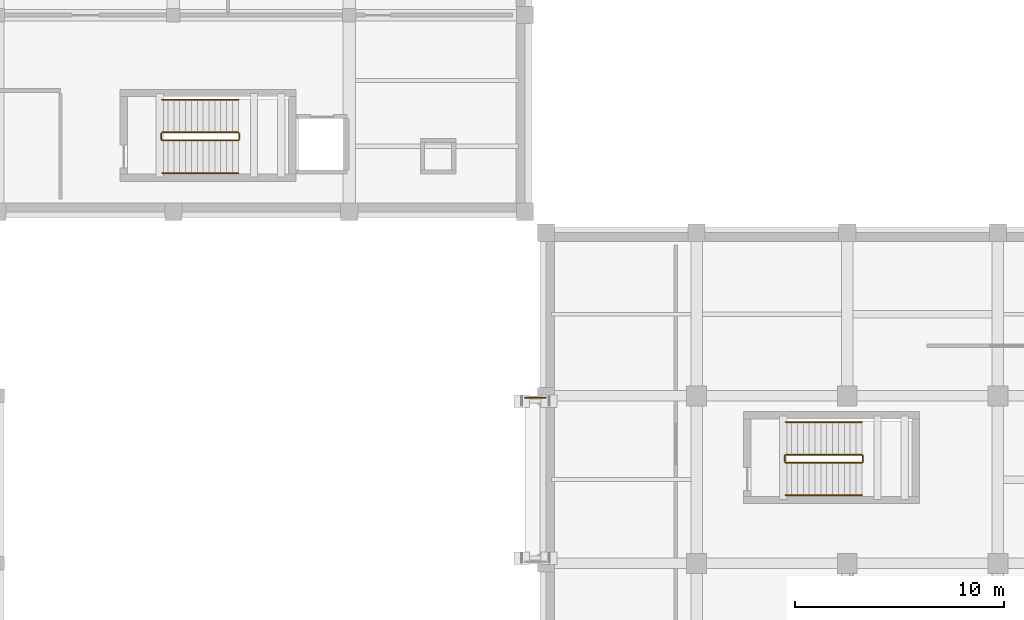
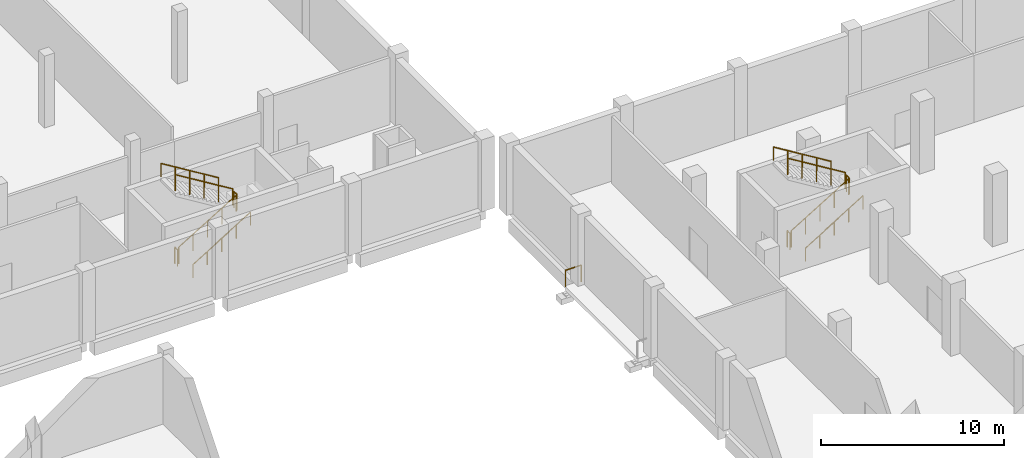
# One storey, part 28 of 31: 13 railings.
"""IFC4 building model written with IfcOpenShell, lengths in metres."""

import ifcopenshell
import ifcopenshell.guid

model = None  # the IFC model being written
_history = None  # IfcOwnerHistory: only IFC2X3 demands one
_inside = {}  # id of a spatial element -> (the spatial element, [elements in it])
_under = {}  # id of a project, library or spatial element -> (it, [spatial elements below it])
_declared = {}  # id of a project -> (the project, [libraries it declares])
_typed = {}  # id of a type object -> (the type object, [elements of that type])
_made_of = {}  # id of a material, layer set ... -> (it, [elements and type objects made of it])


def new_model(schema):
    """Start an empty IFC model of exactly this schema.

    Asked for "IFC4X3", IfcOpenShell would pick the latest addendum, in which some entities
    have other attributes; the version numbers below select the first issue.
    IFC2X3 requires an IfcOwnerHistory on every rooted entity: one is made here for all.
    """
    global model, _history
    if schema == "IFC4X3":
        model = ifcopenshell.file(schema_version=(4, 3, 0, 0))
    else:
        model = ifcopenshell.file(schema=schema)
    _inside.clear()
    _under.clear()
    _declared.clear()
    _typed.clear()
    _made_of.clear()
    _history = None
    if model.schema == "IFC2X3":
        org = make("IfcOrganization", Name="unknown")
        user = make(
            "IfcPersonAndOrganization",
            ThePerson=make("IfcPerson", FamilyName="unknown"),
            TheOrganization=org,
        )
        app = make(
            "IfcApplication",
            ApplicationDeveloper=org,
            Version="unknown",
            ApplicationFullName="unknown",
            ApplicationIdentifier="unknown",
        )
        _history = make(
            "IfcOwnerHistory",
            OwningUser=user,
            OwningApplication=app,
            ChangeAction="ADDED",
            CreationDate=0,
        )
    return model


def make(cls, **values):
    """One entity of the class cls with the attributes given. An attribute that is None is left unset."""
    return model.create_entity(
        cls, **{name: value for name, value in values.items() if value is not None}
    )


def rooted(cls, **values):
    """An entity with a GlobalId (a new one), such as an element, a storey or a relation."""
    return make(cls, GlobalId=ifcopenshell.guid.new(), OwnerHistory=_history, **values)


def si_unit(unit_type, name, prefix=None):
    """IfcSIUnit, for example si_unit("LENGTHUNIT", "METRE", prefix="MILLI")."""
    return make("IfcSIUnit", UnitType=unit_type, Prefix=prefix, Name=name)


def assignment(units):
    """IfcUnitAssignment: the units of a project."""
    return None if units is None else make("IfcUnitAssignment", Units=units)


def point(xyz):
    """IfcCartesianPoint."""
    return None if xyz is None else make("IfcCartesianPoint", Coordinates=xyz)


def direction(xyz):
    """IfcDirection."""
    return None if xyz is None else make("IfcDirection", DirectionRatios=xyz)


def frame(location, z_axis=None, x_axis=None):
    """IfcAxis2Placement3D, a coordinate frame: its origin and axes. An axis left out is left unset."""
    return make(
        "IfcAxis2Placement3D",
        Location=point(location),
        Axis=direction(z_axis),
        RefDirection=direction(x_axis),
    )


def frame_2d(location, x_axis=None):
    """IfcAxis2Placement2D, a coordinate frame in the plane: its origin and x axis."""
    return make(
        "IfcAxis2Placement2D", Location=point(location), RefDirection=direction(x_axis)
    )


def origin():
    """The frame at (0, 0, 0) with its axes left unset."""
    return frame((0.0, 0.0, 0.0))


def origin_2d():
    """The frame at (0, 0) in the plane with its x axis left unset."""
    return frame_2d((0.0, 0.0))


def place(relative_to, where):
    """IfcLocalPlacement: puts the frame where relative to a parent placement (None: the world)."""
    return make(
        "IfcLocalPlacement", PlacementRelTo=relative_to, RelativePlacement=where
    )


def context(
    kind, dimensions, precision=None, world=None, true_north=None, identifier=None
):
    """IfcGeometricRepresentationContext, for example the 3D "Model" context."""
    return make(
        "IfcGeometricRepresentationContext",
        ContextIdentifier=identifier,
        ContextType=kind,
        CoordinateSpaceDimension=dimensions,
        Precision=precision,
        WorldCoordinateSystem=world,
        TrueNorth=true_north,
    )


def subcontext(parent, identifier, kind, view, scale=None):
    """IfcGeometricRepresentationSubContext, for example "Body" below "Model"."""
    return make(
        "IfcGeometricRepresentationSubContext",
        ContextIdentifier=identifier,
        ContextType=kind,
        ParentContext=parent,
        TargetScale=scale,
        TargetView=view,
    )


def project(units=None, contexts=None):
    """IfcProject with its units and contexts."""
    return rooted(
        "IfcProject",
        Name="project",
        RepresentationContexts=contexts,
        UnitsInContext=assignment(units),
    )


def spatial(cls, under=None, at=None, **own):
    """A site, building, storey or space (cls), placed at a placement, below another one or the project."""
    s = rooted(cls, ObjectPlacement=at, **own)
    if under is not None:
        _under.setdefault(under.id(), (under, []))[1].append(s)
    return s


def profile(cls, at=None, kind="AREA", **sizes):
    """A parametric profile (cls). Its sizes go by their IFC names, for example OverallWidth=200.0."""
    return make(cls, ProfileType=kind, Position=at, **sizes)


def circle(**sizes):
    """IfcCircleProfileDef."""
    return profile("IfcCircleProfileDef", **sizes)


def extrude(swept, where, along, depth):
    """IfcExtrudedAreaSolid: the profile swept, set in the frame where, extruded along a direction by depth."""
    return make(
        "IfcExtrudedAreaSolid",
        SweptArea=swept,
        Position=where,
        ExtrudedDirection=direction(along),
        Depth=depth,
    )


def shape(context_of_items, identifier, shape_type, items):
    """IfcShapeRepresentation: the items that make up one representation, for example the "Body"."""
    return make(
        "IfcShapeRepresentation",
        ContextOfItems=context_of_items,
        RepresentationIdentifier=identifier,
        RepresentationType=shape_type,
        Items=items,
    )


def material(Name=None, Category=None):
    """IfcMaterial."""
    return make("IfcMaterial", Name=Name, Category=Category)


def made_of(thing, what):
    """Note that an element or type object is made of a material, layer set ...; save() writes the relation."""
    if what is not None:
        _made_of.setdefault(what.id(), (what, []))[1].append(thing)
    return thing


def type_object(cls, material=None, **own):
    """A type object (cls), such as IfcWallType, which elements share."""
    return made_of(rooted(cls, **own), material)


def element(
    cls,
    number,
    at=None,
    inside=None,
    cuts=None,
    type_object=None,
    material=None,
    context=None,
    identifier="Body",
    shape_type=None,
    held_by="IfcProductDefinitionShape",
    body=None,
    shapes=None,
    **own,
):
    """One element of the class cls, such as IfcWall. Its Tag is "e" and its number.

    at: its placement. inside: the storey or other place that contains it. cuts: it is an
    opening in that element (IfcRelVoidsElement). A single representation is given by context,
    identifier, shape_type and body (its items); several are given by shapes. held_by: the class
    of the entity that holds the representations. save() writes the other relations.
    """
    e = rooted(cls, Tag="e%d" % number, ObjectPlacement=at, **own)
    if body is not None:
        shapes = [shape(context, identifier, shape_type, body)]
    if shapes is not None:
        e.Representation = make(held_by, Representations=shapes)
    if inside is not None:
        _inside.setdefault(inside.id(), (inside, []))[1].append(e)
    if cuts is not None:
        rooted(
            "IfcRelVoidsElement", RelatingBuildingElement=cuts, RelatedOpeningElement=e
        )
    if type_object is not None:
        _typed.setdefault(type_object.id(), (type_object, []))[1].append(e)
    return made_of(e, material)


def aggregate(whole, parts):
    """IfcRelAggregates: a whole, such as a stair, and the parts it consists of."""
    return rooted("IfcRelAggregates", RelatingObject=whole, RelatedObjects=parts)


def save(model, path):
    """Write the relations noted so far, then the file.

    IfcRelAggregates (storeys below a building ...), IfcRelContainedInSpatialStructure (elements
    in a storey), IfcRelDefinesByType, IfcRelAssociatesMaterial and IfcRelDeclares: one each for
    every whole, place, type object, material and project.
    """
    for whole, parts in _under.values():
        aggregate(whole, parts)
    for where, things in _inside.values():
        rooted(
            "IfcRelContainedInSpatialStructure",
            RelatedElements=things,
            RelatingStructure=where,
        )
    for kind, things in _typed.values():
        rooted("IfcRelDefinesByType", RelatedObjects=things, RelatingType=kind)
    for what, things in _made_of.values():
        rooted("IfcRelAssociatesMaterial", RelatedObjects=things, RelatingMaterial=what)
    for by, libraries in _declared.values():
        rooted("IfcRelDeclares", RelatingContext=by, RelatedDefinitions=libraries)
    model.write(path)


model = new_model("IFC4")

# Units and contexts
model_context = context("Model", 3, precision=1e-05, world=origin(), true_north=direction((0.0, 1.0)))
body_context = subcontext(model_context, "Body", "Model", "MODEL_VIEW")
ifc_project = project(units=[si_unit("LENGTHUNIT", "METRE"), si_unit("AREAUNIT", "SQUARE_METRE"), si_unit("VOLUMEUNIT", "CUBIC_METRE"), si_unit("PLANEANGLEUNIT", "RADIAN"), si_unit("MASSUNIT", "GRAM", prefix="KILO")], contexts=[model_context])

# Site, building, storey
site_placement = place(None, origin())
site = spatial("IfcSite", under=ifc_project, at=site_placement, CompositionType="ELEMENT")
building_placement = place(site_placement, origin())
building = spatial("IfcBuilding", under=site, at=building_placement, Name="Kelarvand Opera House", CompositionType="ELEMENT")
storey_placement = place(building_placement, frame((0.0, 0.0, -4.800048828125)))
storey = spatial("IfcBuildingStorey", under=building, at=storey_placement, Name="B1", CompositionType="ELEMENT", Elevation=-4.800048828125)

# Railings
ifc_material_1 = material(Name="Brushed bronze tubular rail")
railing_type_1 = type_object("IfcRailingType", Name="Brushed Bronze Stair Wall Handrail 900", PredefinedType="HANDRAIL", material=ifc_material_1)
railing_1_placement = place(storey_placement, frame((63.4599609375, 73.64990234375, 0.17138671875)))
element("IfcRailing", 1, at=railing_1_placement, inside=storey, type_object=railing_type_1, Name="B1 ST-03 stair handrail 1", PredefinedType="HANDRAIL", context=body_context, shape_type="SweptSolid", body=[
    extrude(circle(Radius=0.02392578125, at=origin_2d()), frame((0.0, 0.0, 0.8759765625), z_axis=(0.852840387347, 0.0, 0.522171689878), x_axis=(0.0, 1.0, 0.0)), (0.0, 0.0, 1.0), 4.268310546875),
    extrude(circle(Radius=0.02099609375, at=origin_2d()), origin(), (0.0, 0.0, 1.0), 0.851806640625),
    extrude(circle(Radius=0.02099609375, at=origin_2d()), frame((0.91015625, 0.0, 0.55712890625)), (0.0, 0.0, 1.0), 0.851806640625),
    extrude(circle(Radius=0.02099609375, at=origin_2d()), frame((1.820068359375, 0.0, 1.1142578125)), (0.0, 0.0, 1.0), 0.851806640625),
    extrude(circle(Radius=0.02099609375, at=origin_2d()), frame((2.72998046875, 0.0, 1.671630859375)), (0.0, 0.0, 1.0), 0.851806640625),
    extrude(circle(Radius=0.02099609375, at=origin_2d()), frame((3.64013671875, 0.0, 2.228759765625)), (0.0, 0.0, 1.0), 0.851806640625),
])
railing_2_placement = place(storey_placement, frame((67.10009765625, 77.14990234375, 2.571533203125)))
element("IfcRailing", 2, at=railing_2_placement, inside=storey, type_object=railing_type_1, Name="B1 ST-03 stair handrail 2", PredefinedType="HANDRAIL", context=body_context, shape_type="SweptSolid", body=[
    extrude(circle(Radius=0.02392578125, at=origin_2d()), frame((0.0, 0.0, 0.8759765625), z_axis=(-0.852865859571, 0.0, 0.52213008492), x_axis=(0.0, -1.0, 0.0)), (0.0, 0.0, 1.0), 4.26806640625),
    extrude(circle(Radius=0.02099609375, at=origin_2d()), origin(), (0.0, 0.0, 1.0), 0.851806640625),
    extrude(circle(Radius=0.02099609375, at=origin_2d()), frame((-0.91015625, 0.0, 0.55712890625)), (0.0, 0.0, 1.0), 0.851806640625),
    extrude(circle(Radius=0.02099609375, at=origin_2d()), frame((-1.820068359375, 0.0, 1.1142578125)), (0.0, 0.0, 1.0), 0.851806640625),
    extrude(circle(Radius=0.02099609375, at=origin_2d()), frame((-2.72998046875, 0.0, 1.67138671875)), (0.0, 0.0, 1.0), 0.851806640625),
    extrude(circle(Radius=0.02099609375, at=origin_2d()), frame((-3.64013671875, 0.0, 2.228515625)), (0.0, 0.0, 1.0), 0.851806640625),
])
railing_3_placement = place(storey_placement, frame((33.659912109375, 89.050048828125, 0.17138671875)))
element("IfcRailing", 3, at=railing_3_placement, inside=storey, type_object=railing_type_1, Name="B1 ST-05 stair handrail 1", PredefinedType="HANDRAIL", context=body_context, shape_type="SweptSolid", body=[
    extrude(circle(Radius=0.02392578125, at=origin_2d()), frame((0.0, 0.0, 0.8759765625), z_axis=(0.852840387347, 0.0, 0.522171689878), x_axis=(0.0, 1.0, 0.0)), (0.0, 0.0, 1.0), 4.268310546875),
    extrude(circle(Radius=0.02099609375, at=origin_2d()), origin(), (0.0, 0.0, 1.0), 0.851806640625),
    extrude(circle(Radius=0.02099609375, at=origin_2d()), frame((0.91015625, 0.0, 0.55712890625)), (0.0, 0.0, 1.0), 0.851806640625),
    extrude(circle(Radius=0.02099609375, at=origin_2d()), frame((1.820068359375, 0.0, 1.1142578125)), (0.0, 0.0, 1.0), 0.851806640625),
    extrude(circle(Radius=0.02099609375, at=origin_2d()), frame((2.72998046875, 0.0, 1.671630859375)), (0.0, 0.0, 1.0), 0.851806640625),
    extrude(circle(Radius=0.02099609375, at=origin_2d()), frame((3.64013671875, 0.0, 2.228759765625)), (0.0, 0.0, 1.0), 0.851806640625),
])
railing_4_placement = place(storey_placement, frame((37.300048828125, 92.550048828125, 2.571533203125)))
element("IfcRailing", 4, at=railing_4_placement, inside=storey, type_object=railing_type_1, Name="B1 ST-05 stair handrail 2", PredefinedType="HANDRAIL", context=body_context, shape_type="SweptSolid", body=[
    extrude(circle(Radius=0.02392578125, at=origin_2d()), frame((0.0, 0.0, 0.8759765625), z_axis=(-0.852865859571, 0.0, 0.52213008492), x_axis=(0.0, -1.0, 0.0)), (0.0, 0.0, 1.0), 4.26806640625),
    extrude(circle(Radius=0.02099609375, at=origin_2d()), origin(), (0.0, 0.0, 1.0), 0.851806640625),
    extrude(circle(Radius=0.02099609375, at=origin_2d()), frame((-0.91015625, 0.0, 0.55712890625)), (0.0, 0.0, 1.0), 0.851806640625),
    extrude(circle(Radius=0.02099609375, at=origin_2d()), frame((-1.820068359375, 0.0, 1.1142578125)), (0.0, 0.0, 1.0), 0.851806640625),
    extrude(circle(Radius=0.02099609375, at=origin_2d()), frame((-2.72998046875, 0.0, 1.67138671875)), (0.0, 0.0, 1.0), 0.851806640625),
    extrude(circle(Radius=0.02099609375, at=origin_2d()), frame((-3.64013671875, 0.0, 2.228515625)), (0.0, 0.0, 1.0), 0.851806640625),
])
ifc_material_2 = material(Name="Laminated safety glass with bronze cap rail", Category="glass")
railing_type_2 = type_object("IfcRailingType", Name="Laminated Glass and Bronze Foyer Balustrade 1120", PredefinedType="BALUSTRADE", material=ifc_material_2)
railing_5_placement = place(storey_placement, frame((51.0, 78.320068359375, 0.0)))
element("IfcRailing", 5, at=railing_5_placement, inside=storey, type_object=railing_type_2, Name="V1 B1 Balustrade 122", PredefinedType="BALUSTRADE", context=body_context, shape_type="SweptSolid", body=[
    extrude(circle(Radius=0.02392578125, at=origin_2d()), frame((0.0, 0.0, 1.09619140625), z_axis=(1.0, 0.0, 0.0), x_axis=(0.0, 1.0, 0.0)), (0.0, 0.0, 1.0), 1.0),
    extrude(circle(Radius=0.02099609375, at=origin_2d()), origin(), (0.0, 0.0, 1.0), 1.072021484375),
    extrude(circle(Radius=0.02099609375, at=origin_2d()), frame((1.0, 0.0, 0.0)), (0.0, 0.0, 1.0), 1.072021484375),
])
ifc_material_3 = material(Name="Powder-coated Steel S355", Category="steel")
railing_type_3 = type_object("IfcRailingType", Name="Painted Steel Stair and Void Guardrail 1100", PredefinedType="GUARDRAIL", material=ifc_material_3)
railing_6_placement = place(storey_placement, frame((63.4599609375, 75.2099609375, 0.17138671875)))
element("IfcRailing", 6, at=railing_6_placement, inside=storey, type_object=railing_type_3, Name="B1 ST-03 stair guard 1", PredefinedType="GUARDRAIL", context=body_context, shape_type="SweptSolid", body=[
    extrude(circle(Radius=0.02392578125, at=origin_2d()), frame((0.0, 0.0, 1.076171875), z_axis=(0.852840387347, 0.0, 0.522171689878), x_axis=(0.0, 1.0, 0.0)), (0.0, 0.0, 1.0), 4.268310546875),
    extrude(circle(Radius=0.02099609375, at=origin_2d()), origin(), (0.0, 0.0, 1.0), 1.052001953125),
    extrude(circle(Radius=0.02099609375, at=origin_2d()), frame((0.91015625, 0.0, 0.55712890625)), (0.0, 0.0, 1.0), 1.052001953125),
    extrude(circle(Radius=0.02099609375, at=origin_2d()), frame((1.820068359375, 0.0, 1.1142578125)), (0.0, 0.0, 1.0), 1.052001953125),
    extrude(circle(Radius=0.02099609375, at=origin_2d()), frame((2.72998046875, 0.0, 1.671630859375)), (0.0, 0.0, 1.0), 1.052001953125),
    extrude(circle(Radius=0.02099609375, at=origin_2d()), frame((3.64013671875, 0.0, 2.228759765625)), (0.0, 0.0, 1.0), 1.052001953125),
])
railing_7_placement = place(storey_placement, frame((67.14990234375, 75.260009765625, 2.400146484375)))
element("IfcRailing", 7, at=railing_7_placement, inside=storey, type_object=railing_type_3, Name="B1 ST-03 stair guard 2", PredefinedType="GUARDRAIL", context=body_context, shape_type="SweptSolid", body=[
    extrude(circle(Radius=0.02392578125, at=origin_2d()), frame((0.0, 0.0, 1.076171875), z_axis=(0.0, 1.0, 0.0), x_axis=(-1.0, 0.0, 0.0)), (0.0, 0.0, 1.0), 0.280029296875),
    extrude(circle(Radius=0.02099609375, at=origin_2d()), origin(), (0.0, 0.0, 1.0), 1.052001953125),
    extrude(circle(Radius=0.02099609375, at=origin_2d()), frame((0.0, 0.280029296875, 0.0)), (0.0, 0.0, 1.0), 1.052001953125),
])
railing_8_placement = place(storey_placement, frame((67.10009765625, 75.590087890625, 2.571533203125)))
element("IfcRailing", 8, at=railing_8_placement, inside=storey, type_object=railing_type_3, Name="B1 ST-03 stair guard 3", PredefinedType="GUARDRAIL", context=body_context, shape_type="SweptSolid", body=[
    extrude(circle(Radius=0.02392578125, at=origin_2d()), frame((0.0, 0.0, 1.076171875), z_axis=(-0.852865859571, 0.0, 0.52213008492), x_axis=(0.0, -1.0, 0.0)), (0.0, 0.0, 1.0), 4.26806640625),
    extrude(circle(Radius=0.02099609375, at=origin_2d()), origin(), (0.0, 0.0, 1.0), 1.052001953125),
    extrude(circle(Radius=0.02099609375, at=origin_2d()), frame((-0.91015625, 0.0, 0.55712890625)), (0.0, 0.0, 1.0), 1.052001953125),
    extrude(circle(Radius=0.02099609375, at=origin_2d()), frame((-1.820068359375, 0.0, 1.1142578125)), (0.0, 0.0, 1.0), 1.052001953125),
    extrude(circle(Radius=0.02099609375, at=origin_2d()), frame((-2.72998046875, 0.0, 1.67138671875)), (0.0, 0.0, 1.0), 1.052001953125),
    extrude(circle(Radius=0.02099609375, at=origin_2d()), frame((-3.64013671875, 0.0, 2.228515625)), (0.0, 0.0, 1.0), 1.052001953125),
])
railing_9_placement = place(storey_placement, frame((63.409912109375, 75.260009765625, 0.0)))
element("IfcRailing", 9, at=railing_9_placement, inside=storey, type_object=railing_type_3, Name="B1 ST-03 stair guard 4", PredefinedType="GUARDRAIL", context=body_context, shape_type="SweptSolid", body=[
    extrude(circle(Radius=0.02392578125, at=origin_2d()), frame((0.0, 0.0, 1.076171875), z_axis=(0.0, 1.0, 0.0), x_axis=(-1.0, 0.0, 0.0)), (0.0, 0.0, 1.0), 0.280029296875),
    extrude(circle(Radius=0.02099609375, at=origin_2d()), origin(), (0.0, 0.0, 1.0), 1.052001953125),
    extrude(circle(Radius=0.02099609375, at=origin_2d()), frame((0.0, 0.280029296875, 0.0)), (0.0, 0.0, 1.0), 1.052001953125),
])
railing_10_placement = place(storey_placement, frame((33.659912109375, 90.610107421875, 0.17138671875)))
element("IfcRailing", 10, at=railing_10_placement, inside=storey, type_object=railing_type_3, Name="B1 ST-05 stair guard 1", PredefinedType="GUARDRAIL", context=body_context, shape_type="SweptSolid", body=[
    extrude(circle(Radius=0.02392578125, at=origin_2d()), frame((0.0, 0.0, 1.076171875), z_axis=(0.852840387347, 0.0, 0.522171689878), x_axis=(0.0, 1.0, 0.0)), (0.0, 0.0, 1.0), 4.268310546875),
    extrude(circle(Radius=0.02099609375, at=origin_2d()), origin(), (0.0, 0.0, 1.0), 1.052001953125),
    extrude(circle(Radius=0.02099609375, at=origin_2d()), frame((0.91015625, 0.0, 0.55712890625)), (0.0, 0.0, 1.0), 1.052001953125),
    extrude(circle(Radius=0.02099609375, at=origin_2d()), frame((1.820068359375, 0.0, 1.1142578125)), (0.0, 0.0, 1.0), 1.052001953125),
    extrude(circle(Radius=0.02099609375, at=origin_2d()), frame((2.72998046875, 0.0, 1.671630859375)), (0.0, 0.0, 1.0), 1.052001953125),
    extrude(circle(Radius=0.02099609375, at=origin_2d()), frame((3.64013671875, 0.0, 2.228759765625)), (0.0, 0.0, 1.0), 1.052001953125),
])
railing_11_placement = place(storey_placement, frame((37.35009765625, 90.659912109375, 2.400146484375)))
element("IfcRailing", 11, at=railing_11_placement, inside=storey, type_object=railing_type_3, Name="B1 ST-05 stair guard 2", PredefinedType="GUARDRAIL", context=body_context, shape_type="SweptSolid", body=[
    extrude(circle(Radius=0.02392578125, at=origin_2d()), frame((0.0, 0.0, 1.076171875), z_axis=(0.0, 1.0, 0.0), x_axis=(-1.0, 0.0, 0.0)), (0.0, 0.0, 1.0), 0.280029296875),
    extrude(circle(Radius=0.02099609375, at=origin_2d()), origin(), (0.0, 0.0, 1.0), 1.052001953125),
    extrude(circle(Radius=0.02099609375, at=origin_2d()), frame((0.0, 0.280029296875, 0.0)), (0.0, 0.0, 1.0), 1.052001953125),
])
railing_12_placement = place(storey_placement, frame((37.300048828125, 90.989990234375, 2.571533203125)))
element("IfcRailing", 12, at=railing_12_placement, inside=storey, type_object=railing_type_3, Name="B1 ST-05 stair guard 3", PredefinedType="GUARDRAIL", context=body_context, shape_type="SweptSolid", body=[
    extrude(circle(Radius=0.02392578125, at=origin_2d()), frame((0.0, 0.0, 1.076171875), z_axis=(-0.852865859571, 0.0, 0.52213008492), x_axis=(0.0, -1.0, 0.0)), (0.0, 0.0, 1.0), 4.26806640625),
    extrude(circle(Radius=0.02099609375, at=origin_2d()), origin(), (0.0, 0.0, 1.0), 1.052001953125),
    extrude(circle(Radius=0.02099609375, at=origin_2d()), frame((-0.91015625, 0.0, 0.55712890625)), (0.0, 0.0, 1.0), 1.052001953125),
    extrude(circle(Radius=0.02099609375, at=origin_2d()), frame((-1.820068359375, 0.0, 1.1142578125)), (0.0, 0.0, 1.0), 1.052001953125),
    extrude(circle(Radius=0.02099609375, at=origin_2d()), frame((-2.72998046875, 0.0, 1.67138671875)), (0.0, 0.0, 1.0), 1.052001953125),
    extrude(circle(Radius=0.02099609375, at=origin_2d()), frame((-3.64013671875, 0.0, 2.228515625)), (0.0, 0.0, 1.0), 1.052001953125),
])
railing_13_placement = place(storey_placement, frame((33.610107421875, 90.659912109375, 0.0)))
element("IfcRailing", 13, at=railing_13_placement, inside=storey, type_object=railing_type_3, Name="B1 ST-05 stair guard 4", PredefinedType="GUARDRAIL", context=body_context, shape_type="SweptSolid", body=[
    extrude(circle(Radius=0.02392578125, at=origin_2d()), frame((0.0, 0.0, 1.076171875), z_axis=(0.0, 1.0, 0.0), x_axis=(-1.0, 0.0, 0.0)), (0.0, 0.0, 1.0), 0.280029296875),
    extrude(circle(Radius=0.02099609375, at=origin_2d()), origin(), (0.0, 0.0, 1.0), 1.052001953125),
    extrude(circle(Radius=0.02099609375, at=origin_2d()), frame((0.0, 0.280029296875, 0.0)), (0.0, 0.0, 1.0), 1.052001953125),
])

save(model, "model.ifc")
